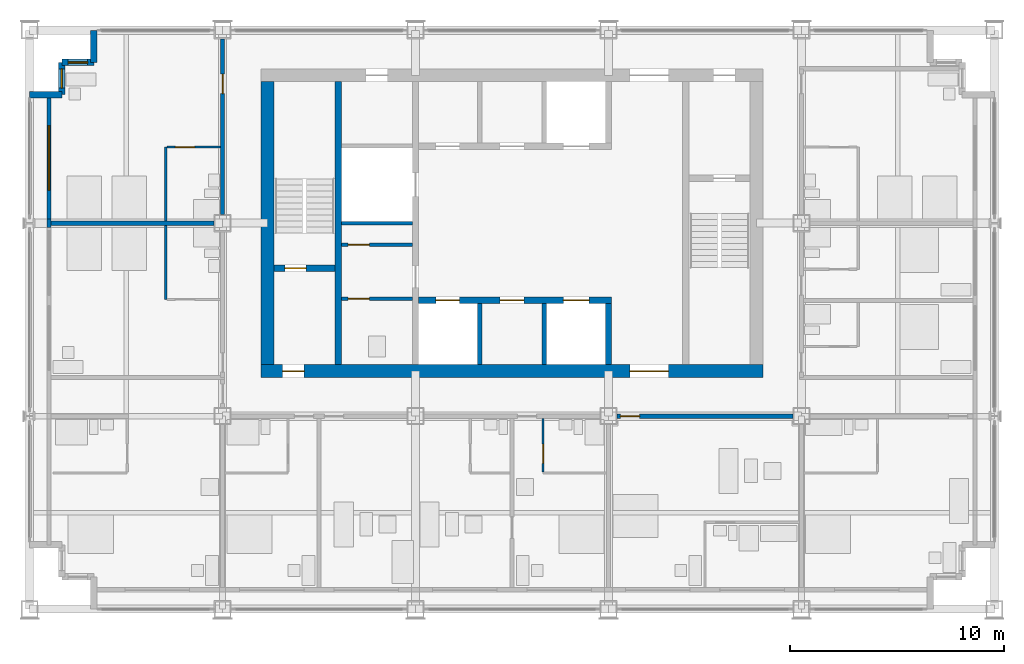
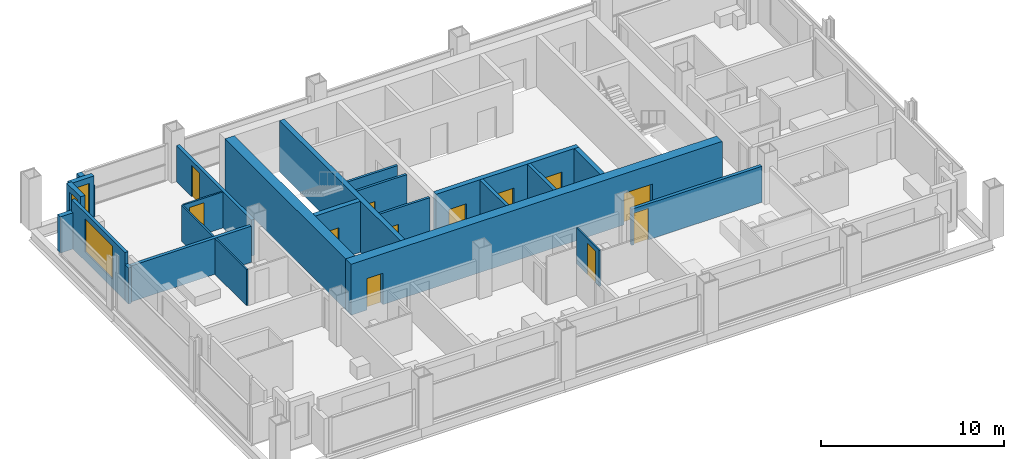
# One storey, part 8 of 13: 24 walls, 12 doors, 3 windows, 15 openings.
"""IFC4 building model written with IfcOpenShell, lengths in metres."""

import ifcopenshell
import ifcopenshell.guid

model = None  # the IFC model being written
_history = None  # IfcOwnerHistory: only IFC2X3 demands one
_inside = {}  # id of a spatial element -> (the spatial element, [elements in it])
_under = {}  # id of a project, library or spatial element -> (it, [spatial elements below it])
_declared = {}  # id of a project -> (the project, [libraries it declares])
_typed = {}  # id of a type object -> (the type object, [elements of that type])
_made_of = {}  # id of a material, layer set ... -> (it, [elements and type objects made of it])


def new_model(schema):
    """Start an empty IFC model of exactly this schema.

    Asked for "IFC4X3", IfcOpenShell would pick the latest addendum, in which some entities
    have other attributes; the version numbers below select the first issue.
    IFC2X3 requires an IfcOwnerHistory on every rooted entity: one is made here for all.
    """
    global model, _history
    if schema == "IFC4X3":
        model = ifcopenshell.file(schema_version=(4, 3, 0, 0))
    else:
        model = ifcopenshell.file(schema=schema)
    _inside.clear()
    _under.clear()
    _declared.clear()
    _typed.clear()
    _made_of.clear()
    _history = None
    if model.schema == "IFC2X3":
        org = make("IfcOrganization", Name="unknown")
        user = make(
            "IfcPersonAndOrganization",
            ThePerson=make("IfcPerson", FamilyName="unknown"),
            TheOrganization=org,
        )
        app = make(
            "IfcApplication",
            ApplicationDeveloper=org,
            Version="unknown",
            ApplicationFullName="unknown",
            ApplicationIdentifier="unknown",
        )
        _history = make(
            "IfcOwnerHistory",
            OwningUser=user,
            OwningApplication=app,
            ChangeAction="ADDED",
            CreationDate=0,
        )
    return model


def make(cls, **values):
    """One entity of the class cls with the attributes given. An attribute that is None is left unset."""
    return model.create_entity(
        cls, **{name: value for name, value in values.items() if value is not None}
    )


def rooted(cls, **values):
    """An entity with a GlobalId (a new one), such as an element, a storey or a relation."""
    return make(cls, GlobalId=ifcopenshell.guid.new(), OwnerHistory=_history, **values)


def si_unit(unit_type, name, prefix=None):
    """IfcSIUnit, for example si_unit("LENGTHUNIT", "METRE", prefix="MILLI")."""
    return make("IfcSIUnit", UnitType=unit_type, Prefix=prefix, Name=name)


def assignment(units):
    """IfcUnitAssignment: the units of a project."""
    return None if units is None else make("IfcUnitAssignment", Units=units)


def point(xyz):
    """IfcCartesianPoint."""
    return None if xyz is None else make("IfcCartesianPoint", Coordinates=xyz)


def direction(xyz):
    """IfcDirection."""
    return None if xyz is None else make("IfcDirection", DirectionRatios=xyz)


def frame(location, z_axis=None, x_axis=None):
    """IfcAxis2Placement3D, a coordinate frame: its origin and axes. An axis left out is left unset."""
    return make(
        "IfcAxis2Placement3D",
        Location=point(location),
        Axis=direction(z_axis),
        RefDirection=direction(x_axis),
    )


def frame_2d(location, x_axis=None):
    """IfcAxis2Placement2D, a coordinate frame in the plane: its origin and x axis."""
    return make(
        "IfcAxis2Placement2D", Location=point(location), RefDirection=direction(x_axis)
    )


def origin():
    """The frame at (0, 0, 0) with its axes left unset."""
    return frame((0.0, 0.0, 0.0))


def place(relative_to, where):
    """IfcLocalPlacement: puts the frame where relative to a parent placement (None: the world)."""
    return make(
        "IfcLocalPlacement", PlacementRelTo=relative_to, RelativePlacement=where
    )


def context(
    kind, dimensions, precision=None, world=None, true_north=None, identifier=None
):
    """IfcGeometricRepresentationContext, for example the 3D "Model" context."""
    return make(
        "IfcGeometricRepresentationContext",
        ContextIdentifier=identifier,
        ContextType=kind,
        CoordinateSpaceDimension=dimensions,
        Precision=precision,
        WorldCoordinateSystem=world,
        TrueNorth=true_north,
    )


def subcontext(parent, identifier, kind, view, scale=None):
    """IfcGeometricRepresentationSubContext, for example "Body" below "Model"."""
    return make(
        "IfcGeometricRepresentationSubContext",
        ContextIdentifier=identifier,
        ContextType=kind,
        ParentContext=parent,
        TargetScale=scale,
        TargetView=view,
    )


def project(units=None, contexts=None):
    """IfcProject with its units and contexts."""
    return rooted(
        "IfcProject",
        Name="project",
        RepresentationContexts=contexts,
        UnitsInContext=assignment(units),
    )


def spatial(cls, under=None, at=None, **own):
    """A site, building, storey or space (cls), placed at a placement, below another one or the project."""
    s = rooted(cls, ObjectPlacement=at, **own)
    if under is not None:
        _under.setdefault(under.id(), (under, []))[1].append(s)
    return s


def profile(cls, at=None, kind="AREA", **sizes):
    """A parametric profile (cls). Its sizes go by their IFC names, for example OverallWidth=200.0."""
    return make(cls, ProfileType=kind, Position=at, **sizes)


def rectangle(**sizes):
    """IfcRectangleProfileDef."""
    return profile("IfcRectangleProfileDef", **sizes)


def extrude(swept, where, along, depth):
    """IfcExtrudedAreaSolid: the profile swept, set in the frame where, extruded along a direction by depth."""
    return make(
        "IfcExtrudedAreaSolid",
        SweptArea=swept,
        Position=where,
        ExtrudedDirection=direction(along),
        Depth=depth,
    )


def shape(context_of_items, identifier, shape_type, items):
    """IfcShapeRepresentation: the items that make up one representation, for example the "Body"."""
    return make(
        "IfcShapeRepresentation",
        ContextOfItems=context_of_items,
        RepresentationIdentifier=identifier,
        RepresentationType=shape_type,
        Items=items,
    )


def material(Name=None, Category=None):
    """IfcMaterial."""
    return make("IfcMaterial", Name=Name, Category=Category)


def layer(
    of_material, thickness, ventilated=None, Name=None, Category=None, Priority=None
):
    """IfcMaterialLayer: one layer of a wall or slab, of a material (None: an air gap)."""
    return make(
        "IfcMaterialLayer",
        Material=of_material,
        LayerThickness=thickness,
        IsVentilated=ventilated,
        Name=Name,
        Category=Category,
        Priority=Priority,
    )


def layer_set(layers, Name=None):
    """IfcMaterialLayerSet."""
    return make("IfcMaterialLayerSet", MaterialLayers=layers, LayerSetName=Name)


def made_of(thing, what):
    """Note that an element or type object is made of a material, layer set ...; save() writes the relation."""
    if what is not None:
        _made_of.setdefault(what.id(), (what, []))[1].append(thing)
    return thing


def type_object(cls, material=None, **own):
    """A type object (cls), such as IfcWallType, which elements share."""
    return made_of(rooted(cls, **own), material)


def element(
    cls,
    number,
    at=None,
    inside=None,
    cuts=None,
    type_object=None,
    material=None,
    context=None,
    identifier="Body",
    shape_type=None,
    held_by="IfcProductDefinitionShape",
    body=None,
    shapes=None,
    **own,
):
    """One element of the class cls, such as IfcWall. Its Tag is "e" and its number.

    at: its placement. inside: the storey or other place that contains it. cuts: it is an
    opening in that element (IfcRelVoidsElement). A single representation is given by context,
    identifier, shape_type and body (its items); several are given by shapes. held_by: the class
    of the entity that holds the representations. save() writes the other relations.
    """
    e = rooted(cls, Tag="e%d" % number, ObjectPlacement=at, **own)
    if body is not None:
        shapes = [shape(context, identifier, shape_type, body)]
    if shapes is not None:
        e.Representation = make(held_by, Representations=shapes)
    if inside is not None:
        _inside.setdefault(inside.id(), (inside, []))[1].append(e)
    if cuts is not None:
        rooted(
            "IfcRelVoidsElement", RelatingBuildingElement=cuts, RelatedOpeningElement=e
        )
    if type_object is not None:
        _typed.setdefault(type_object.id(), (type_object, []))[1].append(e)
    return made_of(e, material)


def fill(opening, filler):
    """IfcRelFillsElement: the door or window that sits in an opening."""
    return rooted(
        "IfcRelFillsElement",
        RelatingOpeningElement=opening,
        RelatedBuildingElement=filler,
    )


def aggregate(whole, parts):
    """IfcRelAggregates: a whole, such as a stair, and the parts it consists of."""
    return rooted("IfcRelAggregates", RelatingObject=whole, RelatedObjects=parts)


def save(model, path):
    """Write the relations noted so far, then the file.

    IfcRelAggregates (storeys below a building ...), IfcRelContainedInSpatialStructure (elements
    in a storey), IfcRelDefinesByType, IfcRelAssociatesMaterial and IfcRelDeclares: one each for
    every whole, place, type object, material and project.
    """
    for whole, parts in _under.values():
        aggregate(whole, parts)
    for where, things in _inside.values():
        rooted(
            "IfcRelContainedInSpatialStructure",
            RelatedElements=things,
            RelatingStructure=where,
        )
    for kind, things in _typed.values():
        rooted("IfcRelDefinesByType", RelatedObjects=things, RelatingType=kind)
    for what, things in _made_of.values():
        rooted("IfcRelAssociatesMaterial", RelatedObjects=things, RelatingMaterial=what)
    for by, libraries in _declared.values():
        rooted("IfcRelDeclares", RelatingContext=by, RelatedDefinitions=libraries)
    model.write(path)


model = new_model("IFC4")

# Units and contexts
model_context = context("Model", 3, precision=1e-05, world=origin(), true_north=direction((0.0, 1.0)))
body_context = subcontext(model_context, "Body", "Model", "MODEL_VIEW")
ifc_project = project(units=[si_unit("LENGTHUNIT", "METRE"), si_unit("AREAUNIT", "SQUARE_METRE"), si_unit("VOLUMEUNIT", "CUBIC_METRE"), si_unit("PLANEANGLEUNIT", "RADIAN"), si_unit("MASSUNIT", "GRAM", prefix="KILO")], contexts=[model_context])

# Site, building, storey
site_placement = place(None, origin())
site = spatial("IfcSite", under=ifc_project, at=site_placement, CompositionType="ELEMENT")
building_placement = place(site_placement, origin())
building = spatial("IfcBuilding", under=site, at=building_placement, Name="Loomwork Tower", CompositionType="ELEMENT")
storey_placement = place(building_placement, frame((0.0, 0.0, 197.800048828125)))
storey = spatial("IfcBuildingStorey", under=building, at=storey_placement, Name="L54", CompositionType="ELEMENT", Elevation=197.800048828125)

# Wall
ifc_material_1 = material(Name="Concrete 14000 psi (97 MPa)", Category="concrete")
ifc_layer_1 = layer(ifc_material_1, 0.300048828125)
ifc_layer_set_1 = layer_set([ifc_layer_1], Name="Core shear wall 300")
wall_type_1 = type_object("IfcWallType", Name="Core shear wall 300", PredefinedType="SHEAR", material=ifc_layer_set_1)
wall_1_placement = place(storey_placement, frame((14.39990234375, 11.39990234375, 0.0), z_axis=(0.0, 0.0, 1.0), x_axis=(0.0, 1.0, 0.0)))
element("IfcWall", 1, at=wall_1_placement, inside=storey, type_object=wall_type_1, Name="Stair A east wall L54", PredefinedType="SHEAR", context=body_context, shape_type="SweptSolid", body=[
    extrude(rectangle(XDim=13.2001953125, YDim=0.300048828125, at=frame_2d((6.60009765625, 0.0))), origin(), (0.0, 0.0, 1.0), 3.39990234375),
])

# Wall, opening, door
wall_2_placement = place(storey_placement, frame((11.39990234375, 15.89990234375, 0.0), z_axis=(0.0, 0.0, 1.0), x_axis=(1.0, 0.0, 0.0)))
wall_2 = element("IfcWall", 2, at=wall_2_placement, inside=storey, type_object=wall_type_1, Name="Stair A south wall L54", PredefinedType="SHEAR", context=body_context, shape_type="SweptSolid", body=[
    extrude(rectangle(XDim=2.85009765625, YDim=0.300048828125, at=frame_2d((1.425048828125, 0.0))), origin(), (0.0, 0.0, 1.0), 3.39990234375),
])
opening_1_placement = place(wall_2_placement, frame((0.5, 0.0, 0.0)))
opening_1 = element("IfcOpeningElement", 3, at=opening_1_placement, cuts=wall_2, Name="Opening D4", PredefinedType="OPENING", context=body_context, shape_type="SweptSolid", body=[
    extrude(rectangle(XDim=1.0, YDim=2.10009765625, at=frame_2d((0.5, 1.050048828125))), frame((0.0, 0.159912109375, 0.0), z_axis=(0.0, -1.0, 0.0), x_axis=(1.0, 0.0, 0.0)), (0.0, 0.0, 1.0), 0.320068359375),
])
ifc_material_2 = material(Name="Hollow metal door and frame")
door_type_1 = type_object("IfcDoorType", Name="Stair door 1000", OperationType="SINGLE_SWING_RIGHT", PredefinedType="DOOR", material=ifc_material_2)
door_1_placement = place(opening_1_placement, origin())
door_1 = element("IfcDoor", 4, at=door_1_placement, inside=storey, type_object=door_type_1, Name="Stair A door", OperationType="SINGLE_SWING_LEFT", OverallHeight=2.10009765625, OverallWidth=1.0, PredefinedType="DOOR", context=body_context, shape_type="SweptSolid", body=[
    extrude(rectangle(XDim=1.0, YDim=2.10009765625, at=frame_2d((0.5, 1.050048828125))), frame((0.0, 0.02490234375, 0.0), z_axis=(0.0, -1.0, 0.0), x_axis=(1.0, 0.0, 0.0)), (0.0, 0.0, 1.0), 0.050048828125),
])
fill(opening_1, door_1)

# Wall, openings, doors
wall_3_placement = place(storey_placement, frame((18.14990234375, 14.39990234375, 0.0), z_axis=(0.0, 0.0, 1.0), x_axis=(1.0, 0.0, 0.0)))
wall_3 = element("IfcWall", 5, at=wall_3_placement, inside=storey, type_object=wall_type_1, Name="Lift front wall south L54", PredefinedType="SHEAR", context=body_context, shape_type="SweptSolid", body=[
    extrude(rectangle(XDim=9.0, YDim=0.300048828125, at=frame_2d((4.5, 0.0))), origin(), (0.0, 0.0, 1.0), 3.39990234375),
])
opening_2_placement = place(wall_3_placement, frame((0.800048828125, 0.0, 0.0)))
opening_2 = element("IfcOpeningElement", 6, at=opening_2_placement, cuts=wall_3, Name="Opening LD1", PredefinedType="OPENING", context=body_context, shape_type="SweptSolid", body=[
    extrude(rectangle(XDim=1.10009765625, YDim=2.10009765625, at=frame_2d((0.550048828125, 1.050048828125))), frame((0.0, 0.159912109375, 0.0), z_axis=(0.0, -1.0, 0.0), x_axis=(1.0, 0.0, 0.0)), (0.0, 0.0, 1.0), 0.320068359375),
])
opening_3_placement = place(wall_3_placement, frame((6.75, 0.0, 0.0)))
opening_3 = element("IfcOpeningElement", 7, at=opening_3_placement, cuts=wall_3, Name="Opening LD2", PredefinedType="OPENING", context=body_context, shape_type="SweptSolid", body=[
    extrude(rectangle(XDim=1.199951171875, YDim=2.10009765625, at=frame_2d((0.60009765625, 1.050048828125))), frame((0.0, 0.159912109375, 0.0), z_axis=(0.0, -1.0, 0.0), x_axis=(1.0, 0.0, 0.0)), (0.0, 0.0, 1.0), 0.320068359375),
])
opening_4_placement = place(wall_3_placement, frame((3.800048828125, 0.0, 0.0)))
opening_4 = element("IfcOpeningElement", 8, at=opening_4_placement, cuts=wall_3, Name="Opening D17", PredefinedType="OPENING", context=body_context, shape_type="SweptSolid", body=[
    extrude(rectangle(XDim=1.10009765625, YDim=2.10009765625, at=frame_2d((0.550048828125, 1.050048828125))), frame((0.0, 0.159912109375, 0.0), z_axis=(0.0, -1.0, 0.0), x_axis=(1.0, 0.0, 0.0)), (0.0, 0.0, 1.0), 0.320068359375),
])
ifc_material_3 = material(Name="Hollow metal door and frame")
door_type_2 = type_object("IfcDoorType", Name="Lift landing door 1100", OperationType="SLIDING_TO_LEFT", PredefinedType="DOOR", material=ifc_material_3)
door_2_placement = place(opening_2_placement, origin())
door_2 = element("IfcDoor", 9, at=door_2_placement, inside=storey, type_object=door_type_2, Name="Lift landing door LC1", OperationType="SLIDING_TO_LEFT", OverallHeight=2.10009765625, OverallWidth=1.10009765625, PredefinedType="DOOR", context=body_context, shape_type="SweptSolid", body=[
    extrude(rectangle(XDim=1.10009765625, YDim=2.10009765625, at=frame_2d((0.550048828125, 1.050048828125))), frame((0.0, 0.02490234375, 0.0), z_axis=(0.0, -1.0, 0.0), x_axis=(1.0, 0.0, 0.0)), (0.0, 0.0, 1.0), 0.050048828125),
])
fill(opening_2, door_2)
ifc_material_4 = material(Name="Hollow metal door and frame")
door_type_3 = type_object("IfcDoorType", Name="Lift landing door 1200", OperationType="SLIDING_TO_LEFT", PredefinedType="DOOR", material=ifc_material_4)
door_3_placement = place(opening_3_placement, origin())
door_3 = element("IfcDoor", 10, at=door_3_placement, inside=storey, type_object=door_type_3, Name="Lift landing door LF1", OperationType="SLIDING_TO_LEFT", OverallHeight=2.10009765625, OverallWidth=1.199951171875, PredefinedType="DOOR", context=body_context, shape_type="SweptSolid", body=[
    extrude(rectangle(XDim=1.199951171875, YDim=2.10009765625, at=frame_2d((0.60009765625, 1.050048828125))), frame((0.0, 0.02490234375, 0.0), z_axis=(0.0, -1.0, 0.0), x_axis=(1.0, 0.0, 0.0)), (0.0, 0.0, 1.0), 0.050048828125),
])
fill(opening_3, door_3)
ifc_material_5 = material(Name="Hollow metal door and frame")
door_type_4 = type_object("IfcDoorType", Name="Service room door 1100", OperationType="SINGLE_SWING_LEFT", PredefinedType="DOOR", material=ifc_material_5)
door_4_placement = place(opening_4_placement, frame((1.10009765625, 0.0, 0.0), z_axis=(0.0, 0.0, 1.0), x_axis=(-1.0, 0.0, 0.0)))
door_4 = element("IfcDoor", 11, at=door_4_placement, inside=storey, type_object=door_type_4, Name="Linen and housekeeping store door L54", OperationType="SINGLE_SWING_RIGHT", OverallHeight=2.10009765625, OverallWidth=1.10009765625, PredefinedType="DOOR", context=body_context, shape_type="SweptSolid", body=[
    extrude(rectangle(XDim=1.10009765625, YDim=2.10009765625, at=frame_2d((0.550048828125, 1.050048828125))), frame((0.0, 0.02490234375, 0.0), z_axis=(0.0, -1.0, 0.0), x_axis=(1.0, 0.0, 0.0)), (0.0, 0.0, 1.0), 0.050048828125),
])
fill(opening_4, door_4)

# Wall
wall_4_placement = place(storey_placement, frame((27.0, 11.39990234375, 0.0), z_axis=(0.0, 0.0, 1.0), x_axis=(0.0, 1.0, 0.0)))
element("IfcWall", 12, at=wall_4_placement, inside=storey, type_object=wall_type_1, Name="Lift shaft end wall south L54", PredefinedType="SHEAR", context=body_context, shape_type="SweptSolid", body=[
    extrude(rectangle(XDim=2.85009765625, YDim=0.300048828125, at=frame_2d((1.425048828125, 0.0))), origin(), (0.0, 0.0, 1.0), 3.39990234375),
])

# Wall, openings, doors
ifc_material_6 = material(Name="Concrete 14000 psi (97 MPa)", Category="concrete")
ifc_layer_2 = layer(ifc_material_6, 0.60009765625)
ifc_layer_set_2 = layer_set([ifc_layer_2], Name="Core shear wall 600")
wall_type_2 = type_object("IfcWallType", Name="Core shear wall 600", PredefinedType="SHEAR", material=ifc_layer_set_2)
wall_5_placement = place(storey_placement, frame((10.800048828125, 11.10009765625, 0.0), z_axis=(0.0, 0.0, 1.0), x_axis=(1.0, 0.0, 0.0)))
wall_5 = element("IfcWall", 13, at=wall_5_placement, inside=storey, type_object=wall_type_2, Name="Core wall south L54", PredefinedType="SHEAR", context=body_context, shape_type="SweptSolid", body=[
    extrude(rectangle(XDim=23.39990234375, YDim=0.60009765625, at=frame_2d((11.699951171875, 0.0))), origin(), (0.0, 0.0, 1.0), 3.39990234375),
])
opening_5_placement = place(wall_5_placement, frame((1.0, 0.0, 0.0)))
opening_5 = element("IfcOpeningElement", 14, at=opening_5_placement, cuts=wall_5, Name="Opening D4", PredefinedType="OPENING", context=body_context, shape_type="SweptSolid", body=[
    extrude(rectangle(XDim=1.0, YDim=2.10009765625, at=frame_2d((0.5, 1.050048828125))), frame((0.0, 0.31005859375, 0.0), z_axis=(0.0, -1.0, 0.0), x_axis=(1.0, 0.0, 0.0)), (0.0, 0.0, 1.0), 0.6201171875),
])
opening_6_placement = place(wall_5_placement, frame((17.199951171875, 0.0, 0.0)))
opening_6 = element("IfcOpeningElement", 15, at=opening_6_placement, cuts=wall_5, Name="Opening D6", PredefinedType="OPENING", context=body_context, shape_type="SweptSolid", body=[
    extrude(rectangle(XDim=1.800048828125, YDim=2.10009765625, at=frame_2d((0.89990234375, 1.050048828125))), frame((0.0, 0.31005859375, 0.0), z_axis=(0.0, -1.0, 0.0), x_axis=(1.0, 0.0, 0.0)), (0.0, 0.0, 1.0), 0.6201171875),
])
ifc_material_7 = material(Name="Hollow metal door and frame")
door_type_5 = type_object("IfcDoorType", Name="Lobby passage double door 1800", OperationType="DOUBLE_DOOR_SINGLE_SWING", PredefinedType="DOOR", material=ifc_material_7)
door_5_placement = place(opening_6_placement, origin())
door_5 = element("IfcDoor", 16, at=door_5_placement, inside=storey, type_object=door_type_5, Name="Lobby passage door south", OperationType="DOUBLE_DOOR_SINGLE_SWING", OverallHeight=2.10009765625, OverallWidth=1.800048828125, PredefinedType="DOOR", context=body_context, shape_type="SweptSolid", body=[
    extrude(rectangle(XDim=1.800048828125, YDim=2.10009765625, at=frame_2d((0.89990234375, 1.050048828125))), frame((0.0, 0.02490234375, 0.0), z_axis=(0.0, -1.0, 0.0), x_axis=(1.0, 0.0, 0.0)), (0.0, 0.0, 1.0), 0.050048828125),
])
fill(opening_6, door_5)
door_6_placement = place(opening_5_placement, origin())
door_6 = element("IfcDoor", 17, at=door_6_placement, inside=storey, type_object=door_type_1, Name="Stair A vestibule door", OperationType="SINGLE_SWING_LEFT", OverallHeight=2.10009765625, OverallWidth=1.0, PredefinedType="DOOR", context=body_context, shape_type="SweptSolid", body=[
    extrude(rectangle(XDim=1.0, YDim=2.10009765625, at=frame_2d((0.5, 1.050048828125))), frame((0.0, 0.02490234375, 0.0), z_axis=(0.0, -1.0, 0.0), x_axis=(1.0, 0.0, 0.0)), (0.0, 0.0, 1.0), 0.050048828125),
])
fill(opening_5, door_6)

# Wall
wall_6_placement = place(storey_placement, frame((11.10009765625, 11.39990234375, 0.0), z_axis=(0.0, 0.0, 1.0), x_axis=(0.0, 1.0, 0.0)))
element("IfcWall", 18, at=wall_6_placement, inside=storey, type_object=wall_type_2, Name="Core wall west L54", PredefinedType="SHEAR", context=body_context, shape_type="SweptSolid", body=[
    extrude(rectangle(XDim=13.2001953125, YDim=0.60009765625, at=frame_2d((6.60009765625, 0.0))), origin(), (0.0, 0.0, 1.0), 3.39990234375),
])

# Wall, opening, door
ifc_material_8 = material(Name="Gypsum board on steel studs, one-hour", Category="steel")
ifc_layer_3 = layer(ifc_material_8, 0.199951171875)
ifc_layer_set_3 = layer_set([ifc_layer_3], Name="Corridor wall 200")
wall_type_3 = type_object("IfcWallType", Name="Corridor wall 200", PredefinedType="PARTITIONING", material=ifc_layer_set_3)
wall_7_placement = place(storey_placement, frame((27.39990234375, 9.0, 0.0), z_axis=(0.0, 0.0, 1.0), x_axis=(1.0, 0.0, 0.0)))
wall_7 = element("IfcWall", 19, at=wall_7_placement, inside=storey, type_object=wall_type_3, Name="South corridor wall 4", PredefinedType="PARTITIONING", context=body_context, shape_type="SweptSolid", body=[
    extrude(rectangle(XDim=8.2001953125, YDim=0.199951171875, at=frame_2d((4.10009765625, 0.0))), origin(), (0.0, 0.0, 1.0), 2.405029296875),
])
opening_7_placement = place(wall_7_placement, frame((0.14990234375, 0.0, 0.0)))
opening_7 = element("IfcOpeningElement", 20, at=opening_7_placement, cuts=wall_7, Name="Opening D1", PredefinedType="OPENING", context=body_context, shape_type="SweptSolid", body=[
    extrude(rectangle(XDim=0.89990234375, YDim=2.10009765625, at=frame_2d((0.449951171875, 1.050048828125))), frame((0.0, 0.10986328125, 0.0), z_axis=(0.0, -1.0, 0.0), x_axis=(1.0, 0.0, 0.0)), (0.0, 0.0, 1.0), 0.219970703125),
])
ifc_material_9 = material(Name="Hollow metal door and frame")
door_type_6 = type_object("IfcDoorType", Name="Guest room entry door 900", OperationType="SINGLE_SWING_LEFT", PredefinedType="DOOR", material=ifc_material_9)
door_7_placement = place(opening_7_placement, frame((0.89990234375, 0.0, 0.0), z_axis=(0.0, 0.0, 1.0), x_axis=(-1.0, 0.0, 0.0)))
door_7 = element("IfcDoor", 21, at=door_7_placement, inside=storey, type_object=door_type_6, Name="Guest room entry door L54 5", OperationType="SINGLE_SWING_RIGHT", OverallHeight=2.10009765625, OverallWidth=0.89990234375, PredefinedType="DOOR", context=body_context, shape_type="SweptSolid", body=[
    extrude(rectangle(XDim=0.89990234375, YDim=2.10009765625, at=frame_2d((0.449951171875, 1.050048828125))), frame((0.0, 0.02490234375, 0.0), z_axis=(0.0, -1.0, 0.0), x_axis=(1.0, 0.0, 0.0)), (0.0, 0.0, 1.0), 0.050048828125),
])
fill(opening_7, door_7)

wall_8_placement = place(storey_placement, frame((9.0, 18.39990234375, 0.0), z_axis=(0.0, 0.0, 1.0), x_axis=(0.0, 1.0, 0.0)))
wall_8 = element("IfcWall", 22, at=wall_8_placement, inside=storey, type_object=wall_type_3, Name="West corridor wall 2", PredefinedType="PARTITIONING", context=body_context, shape_type="SweptSolid", body=[
    extrude(rectangle(XDim=8.2001953125, YDim=0.199951171875, at=frame_2d((4.10009765625, 0.0))), origin(), (0.0, 0.0, 1.0), 2.405029296875),
])
opening_8_placement = place(wall_8_placement, frame((5.64990234375, 0.0, 0.0)))
opening_8 = element("IfcOpeningElement", 23, at=opening_8_placement, cuts=wall_8, Name="Opening D1", PredefinedType="OPENING", context=body_context, shape_type="SweptSolid", body=[
    extrude(rectangle(XDim=0.89990234375, YDim=2.10009765625, at=frame_2d((0.449951171875, 1.050048828125))), frame((0.0, 0.10986328125, 0.0), z_axis=(0.0, -1.0, 0.0), x_axis=(1.0, 0.0, 0.0)), (0.0, 0.0, 1.0), 0.219970703125),
])
door_8_placement = place(opening_8_placement, origin())
door_8 = element("IfcDoor", 24, at=door_8_placement, inside=storey, type_object=door_type_6, Name="Guest room entry door L54 8", OperationType="SINGLE_SWING_RIGHT", OverallHeight=2.10009765625, OverallWidth=0.89990234375, PredefinedType="DOOR", context=body_context, shape_type="SweptSolid", body=[
    extrude(rectangle(XDim=0.89990234375, YDim=2.10009765625, at=frame_2d((0.449951171875, 1.050048828125))), frame((0.0, 0.02490234375, 0.0), z_axis=(0.0, -1.0, 0.0), x_axis=(1.0, 0.0, 0.0)), (0.0, 0.0, 1.0), 0.050048828125),
])
fill(opening_8, door_8)

ifc_material_10 = material(Name="Cement board on steel studs", Category="steel")
ifc_layer_4 = layer(ifc_material_10, 0.10009765625)
ifc_layer_set_4 = layer_set([ifc_layer_4], Name="En-suite partition 100")
wall_type_4 = type_object("IfcWallType", Name="En-suite partition 100", PredefinedType="PARTITIONING", material=ifc_layer_set_4)
wall_9_placement = place(storey_placement, frame((23.949951171875, 8.89990234375, 0.0), z_axis=(0.0, 0.0, 1.0), x_axis=(0.0, -1.0, 0.0)))
wall_9 = element("IfcWall", 25, at=wall_9_placement, inside=storey, type_object=wall_type_4, Name="En-suite side wall L54 room 4", PredefinedType="PARTITIONING", context=body_context, shape_type="SweptSolid", body=[
    extrude(rectangle(XDim=2.5, YDim=0.10009765625, at=frame_2d((1.25, 0.0))), origin(), (0.0, 0.0, 1.0), 2.404052734375),
])
opening_9_placement = place(wall_9_placement, frame((1.199951171875, 0.0, 0.0)))
opening_9 = element("IfcOpeningElement", 26, at=opening_9_placement, cuts=wall_9, Name="Opening D2", PredefinedType="OPENING", context=body_context, shape_type="SweptSolid", body=[
    extrude(rectangle(XDim=0.89990234375, YDim=2.10009765625, at=frame_2d((0.449951171875, 1.050048828125))), frame((0.0, 0.06005859375, 0.0), z_axis=(0.0, -1.0, 0.0), x_axis=(1.0, 0.0, 0.0)), (0.0, 0.0, 1.0), 0.1201171875),
])
ifc_material_11 = material(Name="Hollow metal door and frame")
door_type_7 = type_object("IfcDoorType", Name="En-suite door 900", OperationType="SINGLE_SWING_LEFT", PredefinedType="DOOR", material=ifc_material_11)
door_9_placement = place(opening_9_placement, origin())
door_9 = element("IfcDoor", 27, at=door_9_placement, inside=storey, type_object=door_type_7, Name="En-suite door room 4", OperationType="SINGLE_SWING_RIGHT", OverallHeight=2.10009765625, OverallWidth=0.89990234375, PredefinedType="DOOR", context=body_context, shape_type="SweptSolid", body=[
    extrude(rectangle(XDim=0.89990234375, YDim=2.10009765625, at=frame_2d((0.449951171875, 1.050048828125))), frame((0.0, 0.02490234375, 0.0), z_axis=(0.0, -1.0, 0.0), x_axis=(1.0, 0.0, 0.0)), (0.0, 0.0, 1.0), 0.050048828125),
])
fill(opening_9, door_9)

# Walls
for number, where, z_axis, x_axis, name in (
    (28, (6.35009765625, 14.449951171875, 0.0), (0.0, 0.0, 1.0), (0.0, 1.0, 0.0), "En-suite wall L54 room 7"),
    (29, (6.35009765625, 18.10009765625, 0.0), (0.0, 0.0, 1.0), (0.0, 1.0, 0.0), "En-suite wall L54 room 8"),
):
    element("IfcWall", number, at=place(storey_placement, frame(where, z_axis=z_axis, x_axis=x_axis)), inside=storey, type_object=wall_type_4, Name=name, PredefinedType="PARTITIONING", context=body_context, shape_type="SweptSolid", body=[
        extrude(rectangle(XDim=3.449951171875, YDim=0.10009765625, at=frame_2d((1.72509765625, 0.0))), origin(), (0.0, 0.0, 1.0), 2.404052734375),
    ])

# Wall, opening, door
wall_10_placement = place(storey_placement, frame((8.89990234375, 21.550048828125, 0.0), z_axis=(0.0, 0.0, 1.0), x_axis=(-1.0, 0.0, 0.0)))
wall_10 = element("IfcWall", 30, at=wall_10_placement, inside=storey, type_object=wall_type_4, Name="En-suite side wall L54 room 8", PredefinedType="PARTITIONING", context=body_context, shape_type="SweptSolid", body=[
    extrude(rectangle(XDim=2.5, YDim=0.10009765625, at=frame_2d((1.25, 0.0))), origin(), (0.0, 0.0, 1.0), 2.404052734375),
])
opening_10_placement = place(wall_10_placement, frame((1.199951171875, 0.0, 0.0)))
opening_10 = element("IfcOpeningElement", 31, at=opening_10_placement, cuts=wall_10, Name="Opening D2", PredefinedType="OPENING", context=body_context, shape_type="SweptSolid", body=[
    extrude(rectangle(XDim=0.89990234375, YDim=2.10009765625, at=frame_2d((0.449951171875, 1.050048828125))), frame((0.0, 0.06005859375, 0.0), z_axis=(0.0, -1.0, 0.0), x_axis=(1.0, 0.0, 0.0)), (0.0, 0.0, 1.0), 0.1201171875),
])
door_10_placement = place(opening_10_placement, origin())
door_10 = element("IfcDoor", 32, at=door_10_placement, inside=storey, type_object=door_type_7, Name="En-suite door room 8", OperationType="SINGLE_SWING_RIGHT", OverallHeight=2.10009765625, OverallWidth=0.89990234375, PredefinedType="DOOR", context=body_context, shape_type="SweptSolid", body=[
    extrude(rectangle(XDim=0.89990234375, YDim=2.10009765625, at=frame_2d((0.449951171875, 1.050048828125))), frame((0.0, 0.02490234375, 0.0), z_axis=(0.0, -1.0, 0.0), x_axis=(1.0, 0.0, 0.0)), (0.0, 0.0, 1.0), 0.050048828125),
])
fill(opening_10, door_10)

# Walls
ifc_material_12 = material(Name="Gypsum board on steel studs, acoustic", Category="steel")
ifc_layer_5 = layer(ifc_material_12, 0.199951171875)
ifc_layer_set_5 = layer_set([ifc_layer_5], Name="Guest room party wall 200")
wall_type_5 = type_object("IfcWallType", Name="Guest room party wall 200", PredefinedType="PARTITIONING", material=ifc_layer_set_5)
wall_11_placement = place(storey_placement, frame((8.60009765625, 18.0, 0.0), z_axis=(0.0, 0.0, 1.0), x_axis=(-1.0, 0.0, 0.0)))
element("IfcWall", 33, at=wall_11_placement, inside=storey, type_object=wall_type_5, Name="Guest room party wall W 18", PredefinedType="PARTITIONING", context=body_context, shape_type="SweptSolid", body=[
    extrude(rectangle(XDim=7.60009765625, YDim=0.199951171875, at=frame_2d((3.800048828125, 0.0))), origin(), (0.0, 0.0, 1.0), 2.405029296875),
])
ifc_material_13 = material(Name="Insulated steel stud wall with gypsum lining", Category="steel")
ifc_layer_6 = layer(ifc_material_13, 0.199951171875)
ifc_layer_set_6 = layer_set([ifc_layer_6], Name="Inner skin wall 200")
wall_type_6 = type_object("IfcWallType", Name="Inner skin wall 200", PredefinedType="SOLIDWALL", material=ifc_layer_set_6)
wall_12_placement = place(storey_placement, frame((0.89990234375, 17.80615234375, 0.0), z_axis=(0.0, 0.0, 1.0), x_axis=(0.0, 1.0, 0.0)))
element("IfcWall", 34, at=wall_12_placement, inside=storey, type_object=wall_type_6, Name="Inner skin wall W bay 6", PredefinedType="SOLIDWALL", context=body_context, shape_type="SweptSolid", body=[
    extrude(rectangle(XDim=0.3876953125, YDim=0.199951171875, at=frame_2d((0.19384765625, 0.0))), origin(), (0.0, 0.0, 1.0), 2.404052734375),
])

# Wall, opening, window
wall_13_placement = place(storey_placement, frame((0.89990234375, 18.19384765625, 0.0), z_axis=(0.0, 0.0, 1.0), x_axis=(0.0, 1.0, 0.0)))
wall_13 = element("IfcWall", 35, at=wall_13_placement, inside=storey, type_object=wall_type_6, Name="Inner skin wall W bay 7", PredefinedType="SOLIDWALL", context=body_context, shape_type="SweptSolid", body=[
    extrude(rectangle(XDim=5.80615234375, YDim=0.199951171875, at=frame_2d((2.903076171875, 0.0))), origin(), (0.0, 0.0, 1.0), 3.199951171875),
])
opening_11_placement = place(wall_13_placement, frame((1.356201171875, 0.0, 0.60009765625)))
opening_11 = element("IfcOpeningElement", 36, at=opening_11_placement, cuts=wall_13, Name="Opening CH1", PredefinedType="OPENING", context=body_context, shape_type="SweptSolid", body=[
    extrude(rectangle(XDim=3.0, YDim=2.199951171875, at=frame_2d((1.5, 1.10009765625))), frame((0.0, 0.10986328125, 0.0), z_axis=(0.0, -1.0, 0.0), x_axis=(1.0, 0.0, 0.0)), (0.0, 0.0, 1.0), 0.219970703125),
])
ifc_material_14 = material(Name="Aluminium frame with clear insulated glass", Category="aluminium")
window_type_1 = type_object("IfcWindowType", Name="Chicago window 3000", PartitioningType="TRIPLE_PANEL_VERTICAL", PredefinedType="WINDOW", material=ifc_material_14)
window_1_placement = place(opening_11_placement, origin())
window_1 = element("IfcWindow", 37, at=window_1_placement, inside=storey, type_object=window_type_1, Name="Chicago window L54 bay 7", OverallHeight=2.199951171875, OverallWidth=3.0, PartitioningType="TRIPLE_PANEL_VERTICAL", PredefinedType="WINDOW", context=body_context, shape_type="SweptSolid", body=[
    extrude(rectangle(XDim=3.0, YDim=2.199951171875, at=frame_2d((1.5, 1.10009765625))), frame((0.0, 0.030029296875, 0.0), z_axis=(0.0, -1.0, 0.0), x_axis=(1.0, 0.0, 0.0)), (0.0, 0.0, 1.0), 0.06005859375),
])
fill(opening_11, window_1)

# Walls
ifc_material_15 = material(Name="Concrete 14000 psi (97 MPa)", Category="concrete")
ifc_layer_7 = layer(ifc_material_15, 0.199951171875)
ifc_layer_set_7 = layer_set([ifc_layer_7], Name="Lift shaft wall 200")
wall_type_7 = type_object("IfcWallType", Name="Lift shaft wall 200", PredefinedType="SHEAR", material=ifc_layer_set_7)
for number, where, z_axis, x_axis, name in (
    (38, (21.0, 11.39990234375, 0.0), (0.0, 0.0, 1.0), (0.0, 1.0, 0.0), "Lift shaft separation wall south 1 L54"),
    (39, (24.0, 11.39990234375, 0.0), (0.0, 0.0, 1.0), (0.0, 1.0, 0.0), "Lift shaft separation wall south 2 L54"),
):
    element("IfcWall", number, at=place(storey_placement, frame(where, z_axis=z_axis, x_axis=x_axis)), inside=storey, type_object=wall_type_7, Name=name, PredefinedType="SHEAR", context=body_context, shape_type="SweptSolid", body=[
        extrude(rectangle(XDim=2.85009765625, YDim=0.199951171875, at=frame_2d((1.425048828125, 0.0))), origin(), (0.0, 0.0, 1.0), 3.39990234375),
    ])
ifc_material_16 = material(Name="Limestone on concrete masonry", Category="masonry")
ifc_layer_8 = layer(ifc_material_16, 0.300048828125)
ifc_layer_set_8 = layer_set([ifc_layer_8], Name="Limestone corner wall 300")
wall_type_8 = type_object("IfcWallType", Name="Limestone corner wall 300", PredefinedType="SOLIDWALL", material=ifc_layer_set_8)
wall_14_placement = place(storey_placement, frame((3.0, 27.0, 0.0), z_axis=(0.0, 0.0, 1.0), x_axis=(0.0, -1.0, 0.0)))
element("IfcWall", 40, at=wall_14_placement, inside=storey, type_object=wall_type_8, Name="Stone corner wall NW 1", PredefinedType="SOLIDWALL", context=body_context, shape_type="SweptSolid", body=[
    extrude(rectangle(XDim=1.5, YDim=0.300048828125, at=frame_2d((0.75, 0.0))), origin(), (0.0, 0.0, 1.0), 2.419921875),
])

# Wall, opening, window
wall_15_placement = place(storey_placement, frame((3.0, 25.5, 0.0), z_axis=(0.0, 0.0, 1.0), x_axis=(-1.0, 0.0, 0.0)))
wall_15 = element("IfcWall", 41, at=wall_15_placement, inside=storey, type_object=wall_type_8, Name="Stone corner wall NW 2", PredefinedType="SOLIDWALL", context=body_context, shape_type="SweptSolid", body=[
    extrude(rectangle(XDim=1.5, YDim=0.300048828125, at=frame_2d((0.75, 0.0))), origin(), (0.0, 0.0, 1.0), 3.199951171875),
])
opening_12_placement = place(wall_15_placement, frame((0.300048828125, 0.0, 0.60009765625)))
opening_12 = element("IfcOpeningElement", 42, at=opening_12_placement, cuts=wall_15, Name="Opening CH2", PredefinedType="OPENING", context=body_context, shape_type="SweptSolid", body=[
    extrude(rectangle(XDim=0.89990234375, YDim=2.199951171875, at=frame_2d((0.449951171875, 1.10009765625))), frame((0.0, 0.159912109375, 0.0), z_axis=(0.0, -1.0, 0.0), x_axis=(1.0, 0.0, 0.0)), (0.0, 0.0, 1.0), 0.320068359375),
])
ifc_material_17 = material(Name="Aluminium frame with clear insulated glass", Category="aluminium")
window_type_2 = type_object("IfcWindowType", Name="Corner window 900", PartitioningType="SINGLE_PANEL", PredefinedType="WINDOW", material=ifc_material_17)
window_2_placement = place(opening_12_placement, origin())
window_2 = element("IfcWindow", 43, at=window_2_placement, inside=storey, type_object=window_type_2, Name="Corner window NW", OverallHeight=2.199951171875, OverallWidth=0.89990234375, PartitioningType="SINGLE_PANEL", PredefinedType="WINDOW", context=body_context, shape_type="SweptSolid", body=[
    extrude(rectangle(XDim=0.89990234375, YDim=2.199951171875, at=frame_2d((0.449951171875, 1.10009765625))), frame((0.0, 0.030029296875, 0.0), z_axis=(0.0, -1.0, 0.0), x_axis=(1.0, 0.0, 0.0)), (0.0, 0.0, 1.0), 0.06005859375),
])
fill(opening_12, window_2)

wall_16_placement = place(storey_placement, frame((1.5, 25.5, 0.0), z_axis=(0.0, 0.0, 1.0), x_axis=(0.0, -1.0, 0.0)))
wall_16 = element("IfcWall", 44, at=wall_16_placement, inside=storey, type_object=wall_type_8, Name="Stone corner wall NW 3", PredefinedType="SOLIDWALL", context=body_context, shape_type="SweptSolid", body=[
    extrude(rectangle(XDim=1.5, YDim=0.300048828125, at=frame_2d((0.75, 0.0))), origin(), (0.0, 0.0, 1.0), 3.199951171875),
])
opening_13_placement = place(wall_16_placement, frame((0.300048828125, 0.0, 0.60009765625)))
opening_13 = element("IfcOpeningElement", 45, at=opening_13_placement, cuts=wall_16, Name="Opening CH2", PredefinedType="OPENING", context=body_context, shape_type="SweptSolid", body=[
    extrude(rectangle(XDim=0.89990234375, YDim=2.199951171875, at=frame_2d((0.449951171875, 1.10009765625))), frame((0.0, 0.159912109375, 0.0), z_axis=(0.0, -1.0, 0.0), x_axis=(1.0, 0.0, 0.0)), (0.0, 0.0, 1.0), 0.320068359375),
])
window_3_placement = place(opening_13_placement, origin())
window_3 = element("IfcWindow", 46, at=window_3_placement, inside=storey, type_object=window_type_2, Name="Corner window NW", OverallHeight=2.199951171875, OverallWidth=0.89990234375, PartitioningType="SINGLE_PANEL", PredefinedType="WINDOW", context=body_context, shape_type="SweptSolid", body=[
    extrude(rectangle(XDim=0.89990234375, YDim=2.199951171875, at=frame_2d((0.449951171875, 1.10009765625))), frame((0.0, 0.030029296875, 0.0), z_axis=(0.0, -1.0, 0.0), x_axis=(1.0, 0.0, 0.0)), (0.0, 0.0, 1.0), 0.06005859375),
])
fill(opening_13, window_3)

# Walls
wall_17_placement = place(storey_placement, frame((1.5, 24.0, 0.0), z_axis=(0.0, 0.0, 1.0), x_axis=(-1.0, 0.0, 0.0)))
element("IfcWall", 47, at=wall_17_placement, inside=storey, type_object=wall_type_8, Name="Stone corner wall NW 4", PredefinedType="SOLIDWALL", context=body_context, shape_type="SweptSolid", body=[
    extrude(rectangle(XDim=1.5, YDim=0.300048828125, at=frame_2d((0.75, 0.0))), origin(), (0.0, 0.0, 1.0), 2.419921875),
])
ifc_material_18 = material(Name="Gypsum board on steel studs", Category="steel")
ifc_layer_9 = layer(ifc_material_18, 0.14990234375)
ifc_layer_set_9 = layer_set([ifc_layer_9], Name="Partition 150 two-hour")
wall_type_9 = type_object("IfcWallType", Name="Partition 150 two-hour", PredefinedType="PARTITIONING", material=ifc_layer_set_9)
wall_18_placement = place(storey_placement, frame((14.550048828125, 18.0, 0.0), z_axis=(0.0, 0.0, 1.0), x_axis=(1.0, 0.0, 0.0)))
element("IfcWall", 48, at=wall_18_placement, inside=storey, type_object=wall_type_9, Name="Back-of-house dividing wall L54", PredefinedType="PARTITIONING", context=body_context, shape_type="SweptSolid", body=[
    extrude(rectangle(XDim=3.300048828125, YDim=0.14990234375, at=frame_2d((1.64990234375, 0.0))), origin(), (0.0, 0.0, 1.0), 3.199951171875),
])

# Wall, opening, door
ifc_material_19 = material(Name="Gypsum board on steel studs, one-hour", Category="steel")
ifc_layer_10 = layer(ifc_material_19, 0.14990234375)
ifc_layer_set_10 = layer_set([ifc_layer_10], Name="Service partition 150")
wall_type_10 = type_object("IfcWallType", Name="Service partition 150", PredefinedType="PARTITIONING", material=ifc_layer_set_10)
wall_19_placement = place(storey_placement, frame((14.550048828125, 17.0, 0.0), z_axis=(0.0, 0.0, 1.0), x_axis=(1.0, 0.0, 0.0)))
wall_19 = element("IfcWall", 49, at=wall_19_placement, inside=storey, type_object=wall_type_10, Name="Riser enclosure L54", PredefinedType="PARTITIONING", context=body_context, shape_type="SweptSolid", body=[
    extrude(rectangle(XDim=3.300048828125, YDim=0.14990234375, at=frame_2d((1.64990234375, 0.0))), origin(), (0.0, 0.0, 1.0), 3.199951171875),
])
opening_14_placement = place(wall_19_placement, frame((0.300048828125, 0.0, 0.0)))
opening_14 = element("IfcOpeningElement", 50, at=opening_14_placement, cuts=wall_19, Name="Opening D18", PredefinedType="OPENING", context=body_context, shape_type="SweptSolid", body=[
    extrude(rectangle(XDim=1.0, YDim=2.10009765625, at=frame_2d((0.5, 1.050048828125))), frame((0.0, 0.0849609375, 0.0), z_axis=(0.0, -1.0, 0.0), x_axis=(1.0, 0.0, 0.0)), (0.0, 0.0, 1.0), 0.169921875),
])
ifc_material_20 = material(Name="Hollow metal door and frame")
door_type_8 = type_object("IfcDoorType", Name="Ninety-minute service door 1000", OperationType="SINGLE_SWING_LEFT", PredefinedType="DOOR", material=ifc_material_20)
door_11_placement = place(opening_14_placement, frame((1.0, 0.0, 0.0), z_axis=(0.0, 0.0, 1.0), x_axis=(-1.0, 0.0, 0.0)))
door_11 = element("IfcDoor", 51, at=door_11_placement, inside=storey, type_object=door_type_8, Name="Riser access door", OperationType="SINGLE_SWING_RIGHT", OverallHeight=2.10009765625, OverallWidth=1.0, PredefinedType="DOOR", context=body_context, shape_type="SweptSolid", body=[
    extrude(rectangle(XDim=1.0, YDim=2.10009765625, at=frame_2d((0.5, 1.050048828125))), frame((0.0, 0.02490234375, 0.0), z_axis=(0.0, -1.0, 0.0), x_axis=(1.0, 0.0, 0.0)), (0.0, 0.0, 1.0), 0.050048828125),
])
fill(opening_14, door_11)

wall_20_placement = place(storey_placement, frame((14.550048828125, 14.47509765625, 0.0), z_axis=(0.0, 0.0, 1.0), x_axis=(1.0, 0.0, 0.0)))
wall_20 = element("IfcWall", 52, at=wall_20_placement, inside=storey, type_object=wall_type_10, Name="Back-of-house partition L54", PredefinedType="PARTITIONING", context=body_context, shape_type="SweptSolid", body=[
    extrude(rectangle(XDim=3.300048828125, YDim=0.14990234375, at=frame_2d((1.64990234375, 0.0))), origin(), (0.0, 0.0, 1.0), 3.199951171875),
])
opening_15_placement = place(wall_20_placement, frame((0.300048828125, 0.0, 0.0)))
opening_15 = element("IfcOpeningElement", 53, at=opening_15_placement, cuts=wall_20, Name="Opening D5", PredefinedType="OPENING", context=body_context, shape_type="SweptSolid", body=[
    extrude(rectangle(XDim=1.0, YDim=2.10009765625, at=frame_2d((0.5, 1.050048828125))), frame((0.0, 0.0849609375, 0.0), z_axis=(0.0, -1.0, 0.0), x_axis=(1.0, 0.0, 0.0)), (0.0, 0.0, 1.0), 0.169921875),
])
ifc_material_21 = material(Name="Hollow metal door and frame")
door_type_9 = type_object("IfcDoorType", Name="Service door 1000", OperationType="SINGLE_SWING_LEFT", PredefinedType="DOOR", material=ifc_material_21)
door_12_placement = place(opening_15_placement, origin())
door_12 = element("IfcDoor", 54, at=door_12_placement, inside=storey, type_object=door_type_9, Name="Back-of-house room door", OperationType="SINGLE_SWING_LEFT", OverallHeight=2.10009765625, OverallWidth=1.0, PredefinedType="DOOR", context=body_context, shape_type="SweptSolid", body=[
    extrude(rectangle(XDim=1.0, YDim=2.10009765625, at=frame_2d((0.5, 1.050048828125))), frame((0.0, 0.02490234375, 0.0), z_axis=(0.0, -1.0, 0.0), x_axis=(1.0, 0.0, 0.0)), (0.0, 0.0, 1.0), 0.050048828125),
])
fill(opening_15, door_12)

save(model, "model.ifc")
